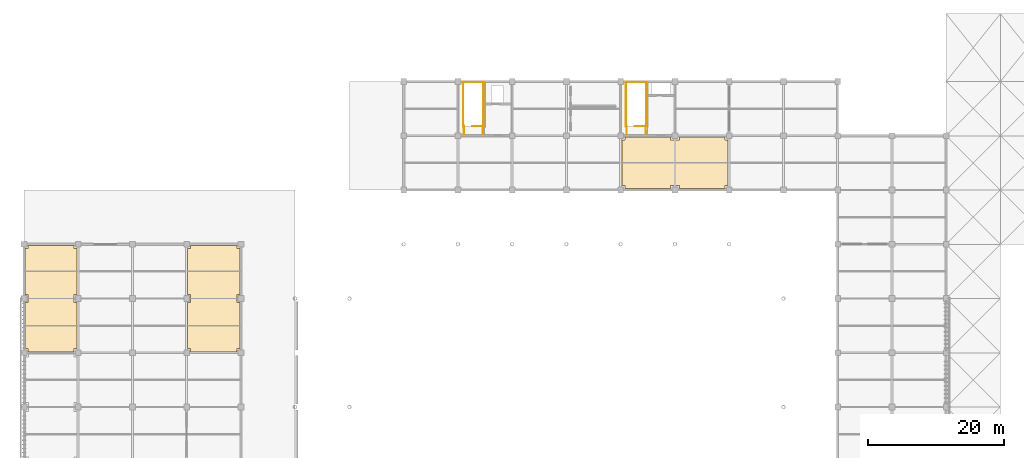
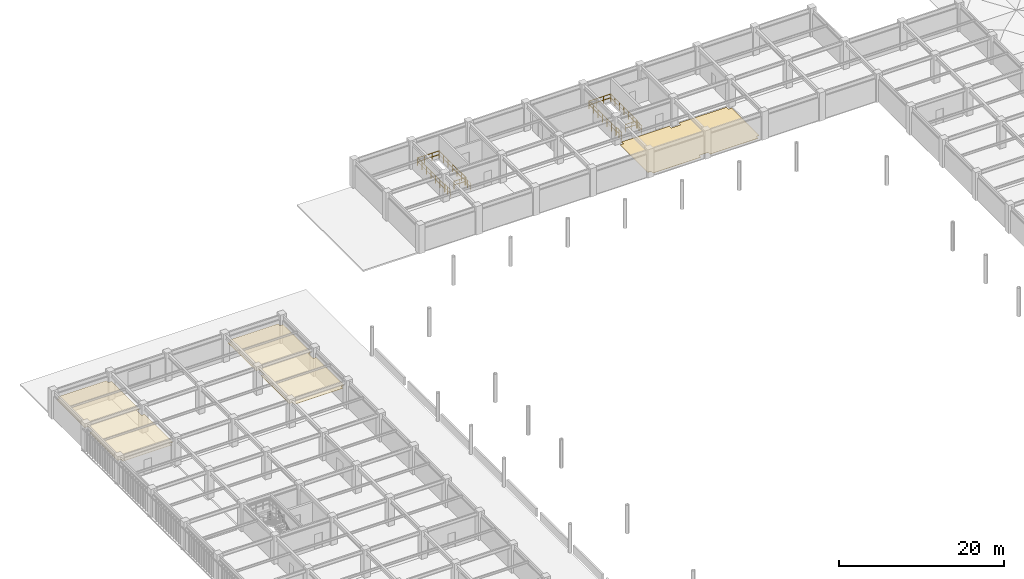
# One storey, part 78 of 78: 12 railings, 3 coverings.
"""IFC4 building model written with IfcOpenShell, lengths in metres."""

from ifc_helpers import new_model, si_unit, direction, frame, origin, origin_2d, place, context, subcontext, project, spatial, polyline, circle, outline, extrude, material, layer, layer_set, type_object, element, save


model = new_model("IFC4")

# Units and contexts
model_context = context("Model", 3, precision=1e-05, world=origin(), true_north=direction((0.0, 1.0)))
body_context = subcontext(model_context, "Body", "Model", "MODEL_VIEW")
ifc_project = project(units=[si_unit("LENGTHUNIT", "METRE"), si_unit("AREAUNIT", "SQUARE_METRE"), si_unit("VOLUMEUNIT", "CUBIC_METRE"), si_unit("PLANEANGLEUNIT", "RADIAN"), si_unit("MASSUNIT", "GRAM", prefix="KILO")], contexts=[model_context])

# Site, building, storey
site_placement = place(None, origin())
site = spatial("IfcSite", under=ifc_project, at=site_placement, CompositionType="ELEMENT")
building_placement = place(site_placement, origin())
building = spatial("IfcBuilding", under=site, at=building_placement, Name="Haebicheon Civic Stadium", CompositionType="ELEMENT")
storey_placement = place(building_placement, frame((0.0, 0.0, 18.60009765625)))
storey = spatial("IfcBuildingStorey", under=building, at=storey_placement, Name="L05", CompositionType="ELEMENT", Elevation=18.60009765625)

# Coverings
ifc_material_1 = material(Name="Perforated mineral-fibre acoustic board", Category="gypsum")
ifc_layer_1 = layer(ifc_material_1, 0.0400390625, Name="Perforated mineral-fibre acoustic board")
ifc_layer_set_1 = layer_set([ifc_layer_1], Name="Perforated mineral-fibre acoustic board")
covering_type_1 = type_object("IfcCoveringType", Name="COV-CLG-AC", PredefinedType="CEILING", material=ifc_layer_set_1)
covering_1_placement = place(storey_placement, frame((0.0, 0.0, 2.809814453125)))
element("IfcCovering", 1, at=covering_1_placement, inside=storey, type_object=covering_type_1, material=ifc_layer_set_1, Name="L05 West Bowl Crowd Safety Suite acoustic ceiling", PredefinedType="CEILING", context=body_context, shape_type="SweptSolid", body=[
    extrude(outline(polyline([(24.594970703125, 128.14501953125), (24.594970703125, 128.594970703125), (24.14501953125, 128.594970703125), (24.14501953125, 135.405029296875), (24.594970703125, 135.405029296875), (24.594970703125, 136.594970703125), (24.14501953125, 136.594970703125), (24.14501953125, 143.405029296875), (24.594970703125, 143.405029296875), (24.594970703125, 143.85498046875), (31.405029296875, 143.85498046875), (31.405029296875, 143.405029296875), (31.85498046875, 143.405029296875), (31.85498046875, 136.594970703125), (31.405029296875, 136.594970703125), (31.405029296875, 135.405029296875), (31.85498046875, 135.405029296875), (31.85498046875, 128.594970703125), (31.405029296875, 128.594970703125), (31.405029296875, 128.14501953125), (24.594970703125, 128.14501953125)])), origin(), (0.0, 0.0, 1.0), 0.0400390625),
])
covering_2_placement = place(storey_placement, frame((0.0, 0.0, 2.809814453125)))
element("IfcCovering", 2, at=covering_2_placement, inside=storey, type_object=covering_type_1, material=ifc_layer_set_1, Name="L05 Upper Bowl Concourse acoustic ceiling", PredefinedType="CEILING", context=body_context, shape_type="SweptSolid", body=[
    extrude(outline(polyline([(48.594970703125, 128.14501953125), (48.594970703125, 128.594970703125), (48.14501953125, 128.594970703125), (48.14501953125, 135.405029296875), (48.594970703125, 135.405029296875), (48.594970703125, 136.594970703125), (48.14501953125, 136.594970703125), (48.14501953125, 143.405029296875), (48.594970703125, 143.405029296875), (48.594970703125, 143.85498046875), (55.405029296875, 143.85498046875), (55.405029296875, 143.405029296875), (55.85498046875, 143.405029296875), (55.85498046875, 136.594970703125), (55.405029296875, 136.594970703125), (55.405029296875, 135.405029296875), (55.85498046875, 135.405029296875), (55.85498046875, 128.594970703125), (55.405029296875, 128.594970703125), (55.405029296875, 128.14501953125), (48.594970703125, 128.14501953125)])), origin(), (0.0, 0.0, 1.0), 0.0400390625),
])
ifc_material_2 = material(Name="Quartz epoxy resin mortar", Category="concrete")
ifc_layer_2 = layer(ifc_material_2, 0.030029296875, Name="Quartz epoxy resin mortar")
ifc_layer_set_2 = layer_set([ifc_layer_2], Name="Quartz epoxy resin mortar")
covering_type_2 = type_object("IfcCoveringType", Name="COV-FLR-EPX", PredefinedType="FLOORING", material=ifc_layer_set_2)
covering_3_placement = place(storey_placement, origin())
element("IfcCovering", 3, at=covering_3_placement, inside=storey, type_object=covering_type_2, material=ifc_layer_set_2, Name="L05 Upper Bowl Concourse non-slip floor finish", PredefinedType="FLOORING", context=body_context, shape_type="SweptSolid", body=[
    extrude(outline(polyline([(112.199951171875, 159.35009765625), (112.64990234375, 159.35009765625), (112.64990234375, 159.800048828125), (119.35009765625, 159.800048828125), (119.35009765625, 159.35009765625), (120.64990234375, 159.35009765625), (120.64990234375, 159.800048828125), (127.35009765625, 159.800048828125), (127.35009765625, 159.35009765625), (127.800048828125, 159.35009765625), (127.800048828125, 152.64990234375), (127.35009765625, 152.64990234375), (127.35009765625, 152.199951171875), (120.64990234375, 152.199951171875), (120.64990234375, 152.64990234375), (119.35009765625, 152.64990234375), (119.35009765625, 152.199951171875), (112.64990234375, 152.199951171875), (112.64990234375, 152.64990234375), (112.199951171875, 152.64990234375), (112.199951171875, 159.35009765625)])), origin(), (0.0, 0.0, 1.0), 0.02978515625),
])

# Railings
ifc_material_3 = material(Name="Galvanised painted steel SM355", Category="steel")
railing_type = type_object("IfcRailingType", Name="RL-GRD-1150", PredefinedType="GUARDRAIL", material=ifc_material_3)
railing_1_placement = place(storey_placement, frame((91.739990234375, 161.39990234375, 0.0)))
element("IfcRailing", 4, at=railing_1_placement, inside=storey, type_object=railing_type, material=ifc_material_3, Name="L05 ST-08 top well guard 1", PredefinedType="GUARDRAIL", context=body_context, shape_type="SweptSolid", body=[
    extrude(circle(Radius=0.02392578125, at=origin_2d()), frame((0.0, 0.0, 1.1259765625), z_axis=(-1.0, 0.0, 0.0), x_axis=(0.0, -1.0, 0.0)), (0.0, 0.0, 1.0), 1.619873046875),
    extrude(circle(Radius=0.02392578125, at=origin_2d()), frame((0.0, 0.0, 0.574951171875), z_axis=(-1.0, 0.0, 0.0), x_axis=(0.0, -1.0, 0.0)), (0.0, 0.0, 1.0), 1.619873046875),
    extrude(circle(Radius=0.02099609375, at=origin_2d()), origin(), (0.0, 0.0, 1.0), 1.101806640625),
    extrude(circle(Radius=0.02099609375, at=origin_2d()), frame((-0.81005859375, 0.0, 0.0)), (0.0, 0.0, 1.0), 1.101806640625),
    extrude(circle(Radius=0.02099609375, at=origin_2d()), frame((-1.619873046875, 0.0, 0.0)), (0.0, 0.0, 1.0), 1.101806640625),
])
for number, where, name in (
    (5, (91.7900390625, 161.35009765625, 0.0), "L05 ST-08 top well guard 2"),
    (6, (88.7900390625, 161.35009765625, 0.0), "L05 ST-08 top well guard 3"),
):
    element("IfcRailing", number, at=place(storey_placement, frame(where)), inside=storey, type_object=railing_type, material=ifc_material_3, Name=name, PredefinedType="GUARDRAIL", context=body_context, shape_type="SweptSolid", body=[
        extrude(circle(Radius=0.02392578125, at=origin_2d()), frame((0.0, 0.0, 1.1259765625), z_axis=(0.0, 1.0, 0.0), x_axis=(-1.0, 0.0, 0.0)), (0.0, 0.0, 1.0), 6.58984375),
        extrude(circle(Radius=0.02392578125, at=origin_2d()), frame((0.0, 0.0, 0.574951171875), z_axis=(0.0, 1.0, 0.0), x_axis=(-1.0, 0.0, 0.0)), (0.0, 0.0, 1.0), 6.58984375),
        extrude(circle(Radius=0.02099609375, at=origin_2d()), origin(), (0.0, 0.0, 1.0), 1.101806640625),
        extrude(circle(Radius=0.02099609375, at=origin_2d()), frame((0.0, 1.098388671875, 0.0)), (0.0, 0.0, 1.0), 1.101806640625),
        extrude(circle(Radius=0.02099609375, at=origin_2d()), frame((0.0, 2.196533203125, 0.0)), (0.0, 0.0, 1.0), 1.101806640625),
        extrude(circle(Radius=0.02099609375, at=origin_2d()), frame((0.0, 3.294921875, 0.0)), (0.0, 0.0, 1.0), 1.101806640625),
        extrude(circle(Radius=0.02099609375, at=origin_2d()), frame((0.0, 4.393310546875, 0.0)), (0.0, 0.0, 1.0), 1.101806640625),
        extrude(circle(Radius=0.02099609375, at=origin_2d()), frame((0.0, 5.491455078125, 0.0)), (0.0, 0.0, 1.0), 1.101806640625),
        extrude(circle(Radius=0.02099609375, at=origin_2d()), frame((0.0, 6.58984375, 0.0)), (0.0, 0.0, 1.0), 1.101806640625),
    ])
railing_2_placement = place(storey_placement, frame((91.840087890625, 167.889892578125, 0.0)))
element("IfcRailing", 7, at=railing_2_placement, inside=storey, type_object=railing_type, material=ifc_material_3, Name="L05 ST-08 top well guard 4", PredefinedType="GUARDRAIL", context=body_context, shape_type="SweptSolid", body=[
    extrude(circle(Radius=0.02392578125, at=origin_2d()), frame((0.0, 0.0, 1.1259765625), z_axis=(-1.0, 0.0, 0.0), x_axis=(0.0, -1.0, 0.0)), (0.0, 0.0, 1.0), 3.10009765625),
    extrude(circle(Radius=0.02392578125, at=origin_2d()), frame((0.0, 0.0, 0.574951171875), z_axis=(-1.0, 0.0, 0.0), x_axis=(0.0, -1.0, 0.0)), (0.0, 0.0, 1.0), 3.10009765625),
    extrude(circle(Radius=0.02099609375, at=origin_2d()), origin(), (0.0, 0.0, 1.0), 1.101806640625),
    extrude(circle(Radius=0.02099609375, at=origin_2d()), frame((-1.033447265625, 0.0, 0.0)), (0.0, 0.0, 1.0), 1.101806640625),
    extrude(circle(Radius=0.02099609375, at=origin_2d()), frame((-2.066650390625, 0.0, 0.0)), (0.0, 0.0, 1.0), 1.101806640625),
    extrude(circle(Radius=0.02099609375, at=origin_2d()), frame((-3.10009765625, 0.0, 0.0)), (0.0, 0.0, 1.0), 1.101806640625),
])
for number, where, name in (
    (8, (91.68994140625, 160.159912109375, 0.0), "L05 ST-08 top well guard 5"),
    (9, (88.889892578125, 160.159912109375, 0.0), "L05 ST-08 top well guard 6"),
):
    element("IfcRailing", number, at=place(storey_placement, frame(where)), inside=storey, type_object=railing_type, material=ifc_material_3, Name=name, PredefinedType="GUARDRAIL", context=body_context, shape_type="SweptSolid", body=[
        extrude(circle(Radius=0.02392578125, at=origin_2d()), frame((0.0, 0.0, 1.1259765625), z_axis=(0.0, 1.0, 0.0), x_axis=(-1.0, 0.0, 0.0)), (0.0, 0.0, 1.0), 1.2900390625),
        extrude(circle(Radius=0.02392578125, at=origin_2d()), frame((0.0, 0.0, 0.574951171875), z_axis=(0.0, 1.0, 0.0), x_axis=(-1.0, 0.0, 0.0)), (0.0, 0.0, 1.0), 1.2900390625),
        extrude(circle(Radius=0.02099609375, at=origin_2d()), origin(), (0.0, 0.0, 1.0), 1.101806640625),
        extrude(circle(Radius=0.02099609375, at=origin_2d()), frame((0.0, 0.64501953125, 0.0)), (0.0, 0.0, 1.0), 1.101806640625),
        extrude(circle(Radius=0.02099609375, at=origin_2d()), frame((0.0, 1.2900390625, 0.0)), (0.0, 0.0, 1.0), 1.101806640625),
    ])
railing_3_placement = place(storey_placement, frame((115.739990234375, 161.39990234375, 0.0)))
element("IfcRailing", 10, at=railing_3_placement, inside=storey, type_object=railing_type, material=ifc_material_3, Name="L05 ST-09 top well guard 1", PredefinedType="GUARDRAIL", context=body_context, shape_type="SweptSolid", body=[
    extrude(circle(Radius=0.02392578125, at=origin_2d()), frame((0.0, 0.0, 1.1259765625), z_axis=(-1.0, 0.0, 0.0), x_axis=(0.0, -1.0, 0.0)), (0.0, 0.0, 1.0), 1.639892578125),
    extrude(circle(Radius=0.02392578125, at=origin_2d()), frame((0.0, 0.0, 0.574951171875), z_axis=(-1.0, 0.0, 0.0), x_axis=(0.0, -1.0, 0.0)), (0.0, 0.0, 1.0), 1.639892578125),
    extrude(circle(Radius=0.02099609375, at=origin_2d()), origin(), (0.0, 0.0, 1.0), 1.101806640625),
    extrude(circle(Radius=0.02099609375, at=origin_2d()), frame((-0.81982421875, 0.0, 0.0)), (0.0, 0.0, 1.0), 1.101806640625),
    extrude(circle(Radius=0.02099609375, at=origin_2d()), frame((-1.639892578125, 0.0, 0.0)), (0.0, 0.0, 1.0), 1.101806640625),
])
for number, where, name in (
    (11, (115.7900390625, 161.35009765625, 0.0), "L05 ST-09 top well guard 2"),
    (12, (112.7900390625, 161.35009765625, 0.0), "L05 ST-09 top well guard 3"),
):
    element("IfcRailing", number, at=place(storey_placement, frame(where)), inside=storey, type_object=railing_type, material=ifc_material_3, Name=name, PredefinedType="GUARDRAIL", context=body_context, shape_type="SweptSolid", body=[
        extrude(circle(Radius=0.02392578125, at=origin_2d()), frame((0.0, 0.0, 1.1259765625), z_axis=(0.0, 1.0, 0.0), x_axis=(-1.0, 0.0, 0.0)), (0.0, 0.0, 1.0), 6.58984375),
        extrude(circle(Radius=0.02392578125, at=origin_2d()), frame((0.0, 0.0, 0.574951171875), z_axis=(0.0, 1.0, 0.0), x_axis=(-1.0, 0.0, 0.0)), (0.0, 0.0, 1.0), 6.58984375),
        extrude(circle(Radius=0.02099609375, at=origin_2d()), origin(), (0.0, 0.0, 1.0), 1.101806640625),
        extrude(circle(Radius=0.02099609375, at=origin_2d()), frame((0.0, 1.098388671875, 0.0)), (0.0, 0.0, 1.0), 1.101806640625),
        extrude(circle(Radius=0.02099609375, at=origin_2d()), frame((0.0, 2.196533203125, 0.0)), (0.0, 0.0, 1.0), 1.101806640625),
        extrude(circle(Radius=0.02099609375, at=origin_2d()), frame((0.0, 3.294921875, 0.0)), (0.0, 0.0, 1.0), 1.101806640625),
        extrude(circle(Radius=0.02099609375, at=origin_2d()), frame((0.0, 4.393310546875, 0.0)), (0.0, 0.0, 1.0), 1.101806640625),
        extrude(circle(Radius=0.02099609375, at=origin_2d()), frame((0.0, 5.491455078125, 0.0)), (0.0, 0.0, 1.0), 1.101806640625),
        extrude(circle(Radius=0.02099609375, at=origin_2d()), frame((0.0, 6.58984375, 0.0)), (0.0, 0.0, 1.0), 1.101806640625),
    ])
railing_4_placement = place(storey_placement, frame((115.840087890625, 167.889892578125, 0.0)))
element("IfcRailing", 13, at=railing_4_placement, inside=storey, type_object=railing_type, material=ifc_material_3, Name="L05 ST-09 top well guard 4", PredefinedType="GUARDRAIL", context=body_context, shape_type="SweptSolid", body=[
    extrude(circle(Radius=0.02392578125, at=origin_2d()), frame((0.0, 0.0, 1.1259765625), z_axis=(-1.0, 0.0, 0.0), x_axis=(0.0, -1.0, 0.0)), (0.0, 0.0, 1.0), 3.10009765625),
    extrude(circle(Radius=0.02392578125, at=origin_2d()), frame((0.0, 0.0, 0.574951171875), z_axis=(-1.0, 0.0, 0.0), x_axis=(0.0, -1.0, 0.0)), (0.0, 0.0, 1.0), 3.10009765625),
    extrude(circle(Radius=0.02099609375, at=origin_2d()), origin(), (0.0, 0.0, 1.0), 1.101806640625),
    extrude(circle(Radius=0.02099609375, at=origin_2d()), frame((-1.033447265625, 0.0, 0.0)), (0.0, 0.0, 1.0), 1.101806640625),
    extrude(circle(Radius=0.02099609375, at=origin_2d()), frame((-2.066650390625, 0.0, 0.0)), (0.0, 0.0, 1.0), 1.101806640625),
    extrude(circle(Radius=0.02099609375, at=origin_2d()), frame((-3.10009765625, 0.0, 0.0)), (0.0, 0.0, 1.0), 1.101806640625),
])
for number, where, name in (
    (14, (115.68994140625, 160.159912109375, 0.0), "L05 ST-09 top well guard 5"),
    (15, (112.889892578125, 160.159912109375, 0.0), "L05 ST-09 top well guard 6"),
):
    element("IfcRailing", number, at=place(storey_placement, frame(where)), inside=storey, type_object=railing_type, material=ifc_material_3, Name=name, PredefinedType="GUARDRAIL", context=body_context, shape_type="SweptSolid", body=[
        extrude(circle(Radius=0.02392578125, at=origin_2d()), frame((0.0, 0.0, 1.1259765625), z_axis=(0.0, 1.0, 0.0), x_axis=(-1.0, 0.0, 0.0)), (0.0, 0.0, 1.0), 1.2900390625),
        extrude(circle(Radius=0.02392578125, at=origin_2d()), frame((0.0, 0.0, 0.574951171875), z_axis=(0.0, 1.0, 0.0), x_axis=(-1.0, 0.0, 0.0)), (0.0, 0.0, 1.0), 1.2900390625),
        extrude(circle(Radius=0.02099609375, at=origin_2d()), origin(), (0.0, 0.0, 1.0), 1.101806640625),
        extrude(circle(Radius=0.02099609375, at=origin_2d()), frame((0.0, 0.64501953125, 0.0)), (0.0, 0.0, 1.0), 1.101806640625),
        extrude(circle(Radius=0.02099609375, at=origin_2d()), frame((0.0, 1.2900390625, 0.0)), (0.0, 0.0, 1.0), 1.101806640625),
    ])

save(model, "model.ifc")
